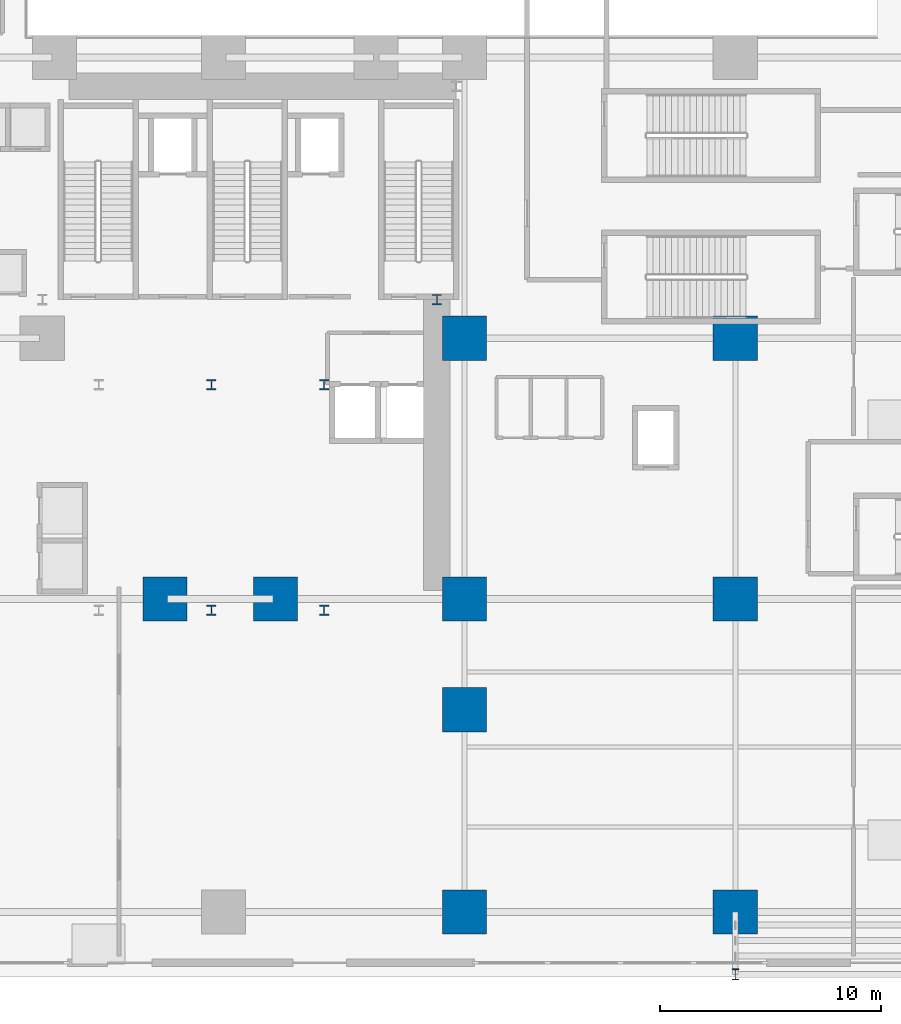
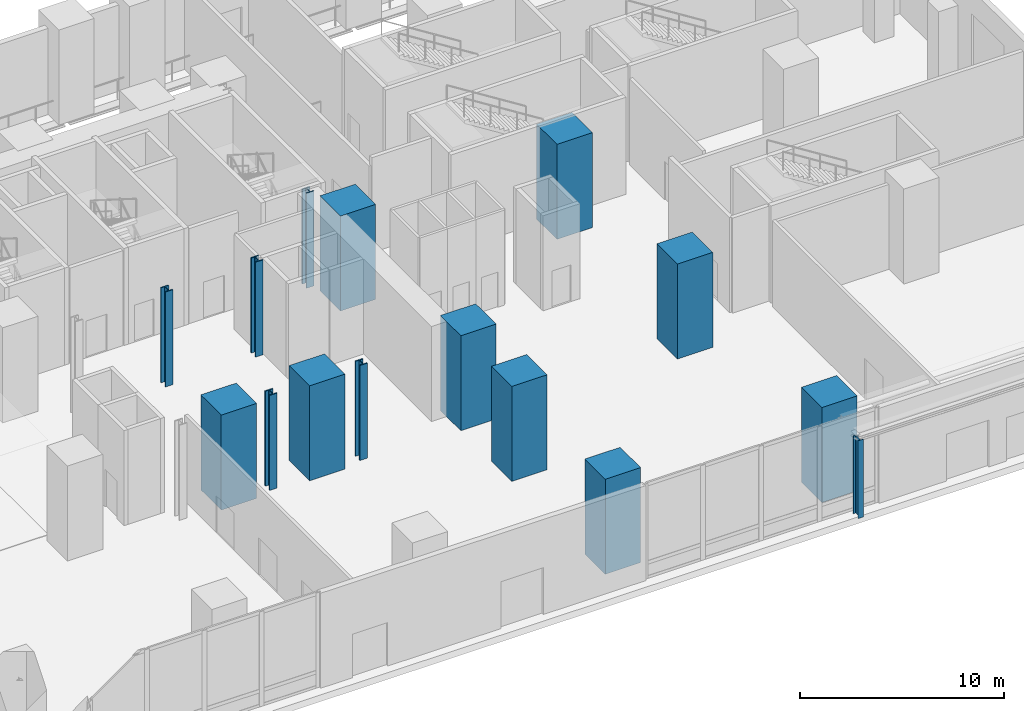
# One storey, part 2 of 25: 15 columns.
"""IFC4 building model written with IfcOpenShell, lengths in metres."""

from ifc_helpers import new_model, si_unit, direction, frame, origin, origin_2d, place, context, subcontext, project, spatial, rectangle, i_section, extrude, source, transform, mapped, material, material_profile, profile_set, type_object, element, save


model = new_model("IFC4")

# Units and contexts
model_context = context("Model", 3, precision=1e-05, world=origin(), true_north=direction((0.0, 1.0)))
body_context = subcontext(model_context, "Body", "Model", "MODEL_VIEW")
ifc_project = project(units=[si_unit("LENGTHUNIT", "METRE"), si_unit("AREAUNIT", "SQUARE_METRE"), si_unit("VOLUMEUNIT", "CUBIC_METRE"), si_unit("PLANEANGLEUNIT", "RADIAN"), si_unit("MASSUNIT", "GRAM", prefix="KILO")], contexts=[model_context])

# Site, building, storey
site_placement = place(None, origin())
site = spatial("IfcSite", under=ifc_project, at=site_placement, CompositionType="ELEMENT")
building_placement = place(site_placement, origin())
building = spatial("IfcBuilding", under=site, at=building_placement, Name="Vardaveli Station Tower", CompositionType="ELEMENT")
storey_placement = place(building_placement, origin())
storey = spatial("IfcBuildingStorey", under=building, at=storey_placement, Name="L01", CompositionType="ELEMENT", Elevation=0.0)

# Columns
ifc_material_1 = material(Name="Structural steel S460M", Category="steel")
ifc_material_profile_1 = material_profile(ifc_material_1, i_section(OverallWidth=0.427978515625, OverallDepth=0.48095703125, WebThickness=0.03955078125, FlangeThickness=0.0634765625, FilletRadius=0.014892578125, at=origin_2d()), Name="HD 400x677")
ifc_profile_set_1 = profile_set([ifc_material_profile_1], Name="Structural steel S460M")
column_type_1 = type_object("IfcColumnType", Name="COL-HD677", PredefinedType="COLUMN", material=ifc_profile_set_1)
shared_shape_1 = source(origin(), body_context, "Body", "SweptSolid", [
    extrude(i_section(OverallWidth=0.427978515625, OverallDepth=0.48095703125, WebThickness=0.03955078125, FlangeThickness=0.0634765625, FilletRadius=0.014892578125, at=origin_2d()), origin(), (0.0, 0.0, 1.0), 5.679931640625),
])
for number, where, z_axis, x_axis, name in (
    (1, (36.300048828125, 16.60009765625, 0.0), (0.0, 0.0, 1.0), (1.0, 0.0, 0.0), "COL-L01-AC2"),
    (2, (41.39990234375, 16.60009765625, 0.0), (0.0, 0.0, 1.0), (1.0, 0.0, 0.0), "COL-L01-AC3"),
    (3, (41.39990234375, 26.800048828125, 0.0), (0.0, 0.0, 1.0), (1.0, 0.0, 0.0), "COL-L01-AC4"),
    (4, (36.300048828125, 26.800048828125, 0.0), (0.0, 0.0, 1.0), (1.0, 0.0, 0.0), "COL-L01-AC5"),
    (5, (46.5, 30.64990234375, 0.0), (0.0, 0.0, 1.0), (1.0, 0.0, 0.0), "COL-L01-CC2"),
):
    element("IfcColumn", number, at=place(storey_placement, frame(where, z_axis=z_axis, x_axis=x_axis)), inside=storey, type_object=column_type_1, Name=name, PredefinedType="COLUMN", context=body_context, shape_type="MappedRepresentation", body=[
        mapped(shared_shape_1, transform((0.0, 0.0, 0.0), scale=1.0)),
    ])
ifc_material_2 = material(Name="Concrete C70/85", Category="concrete")
ifc_material_profile_2 = material_profile(ifc_material_2, rectangle(XDim=2.0, YDim=2.0, at=origin_2d()), Name="SC 2000x2000")
ifc_profile_set_2 = profile_set([ifc_material_profile_2], Name="Concrete C70/85")
column_type_2 = type_object("IfcColumnType", Name="COL-SC-2000", PredefinedType="COLUMN", material=ifc_profile_set_2)
shared_shape_2 = source(origin(), body_context, "Body", "SweptSolid", [
    extrude(rectangle(XDim=2.0, YDim=2.0, at=origin_2d()), origin(), (0.0, 0.0, 1.0), 5.679931640625),
])
for number, where, z_axis, x_axis, name in (
    (6, (47.75, 2.949951171875, 0.0), (0.0, 0.0, 1.0), (1.0, 0.0, 0.0), "COL-L01-SC05"),
    (7, (60.0, 2.949951171875, 0.0), (0.0, 0.0, 1.0), (1.0, 0.0, 0.0), "COL-L01-SC06"),
    (8, (47.75, 12.10009765625, 0.0), (0.0, 0.0, 1.0), (1.0, 0.0, 0.0), "COL-L01-SC09"),
    (9, (34.199951171875, 17.10009765625, 0.0), (0.0, 0.0, 1.0), (1.0, 0.0, 0.0), "COL-L01-SC12B"),
    (10, (39.199951171875, 17.10009765625, 0.0), (0.0, 0.0, 1.0), (1.0, 0.0, 0.0), "COL-L01-SC12C"),
    (11, (47.75, 17.10009765625, 0.0), (0.0, 0.0, 1.0), (1.0, 0.0, 0.0), "COL-L01-SC13"),
    (12, (60.0, 17.10009765625, 0.0), (0.0, 0.0, 1.0), (1.0, 0.0, 0.0), "COL-L01-SC14"),
    (13, (47.75, 28.89990234375, 0.0), (0.0, 0.0, 1.0), (1.0, 0.0, 0.0), "COL-L01-SC18"),
    (14, (60.0, 28.89990234375, 0.0), (0.0, 0.0, 1.0), (1.0, 0.0, 0.0), "COL-L01-SC18B"),
):
    element("IfcColumn", number, at=place(storey_placement, frame(where, z_axis=z_axis, x_axis=x_axis)), inside=storey, type_object=column_type_2, Name=name, PredefinedType="COLUMN", context=body_context, shape_type="MappedRepresentation", body=[
        mapped(shared_shape_2, transform((0.0, 0.0, 0.0), scale=1.0)),
    ])
ifc_material_3 = material(Name="Structural steel S355J2", Category="steel")
ifc_material_profile_3 = material_profile(ifc_material_3, i_section(OverallWidth=0.300048828125, OverallDepth=0.5, WebThickness=0.014404296875, FlangeThickness=0.028076171875, FilletRadius=0.027099609375, at=origin_2d()), Name="HEB 500")
ifc_profile_set_3 = profile_set([ifc_material_profile_3], Name="Structural steel S355J2")
column_type_3 = type_object("IfcColumnType", Name="COL-HEB500", PredefinedType="COLUMN", material=ifc_profile_set_3)
shared_shape_3 = source(origin(), body_context, "Body", "SweptSolid", [
    extrude(i_section(OverallWidth=0.300048828125, OverallDepth=0.5, WebThickness=0.014404296875, FlangeThickness=0.028076171875, FilletRadius=0.027099609375, at=origin_2d()), origin(), (0.0, 0.0, 1.0), 4.64990234375),
])
column_placement = place(storey_placement, frame((60.0, 0.1201171875, 0.0), z_axis=(0.0, 0.0, 1.0), x_axis=(1.0, 0.0, 0.0)))
element("IfcColumn", 15, at=column_placement, inside=storey, type_object=column_type_3, Name="CNC-S2-1", PredefinedType="COLUMN", context=body_context, shape_type="MappedRepresentation", body=[
    mapped(shared_shape_3, transform((0.0, 0.0, 0.0), scale=1.0)),
])

save(model, "model.ifc")
